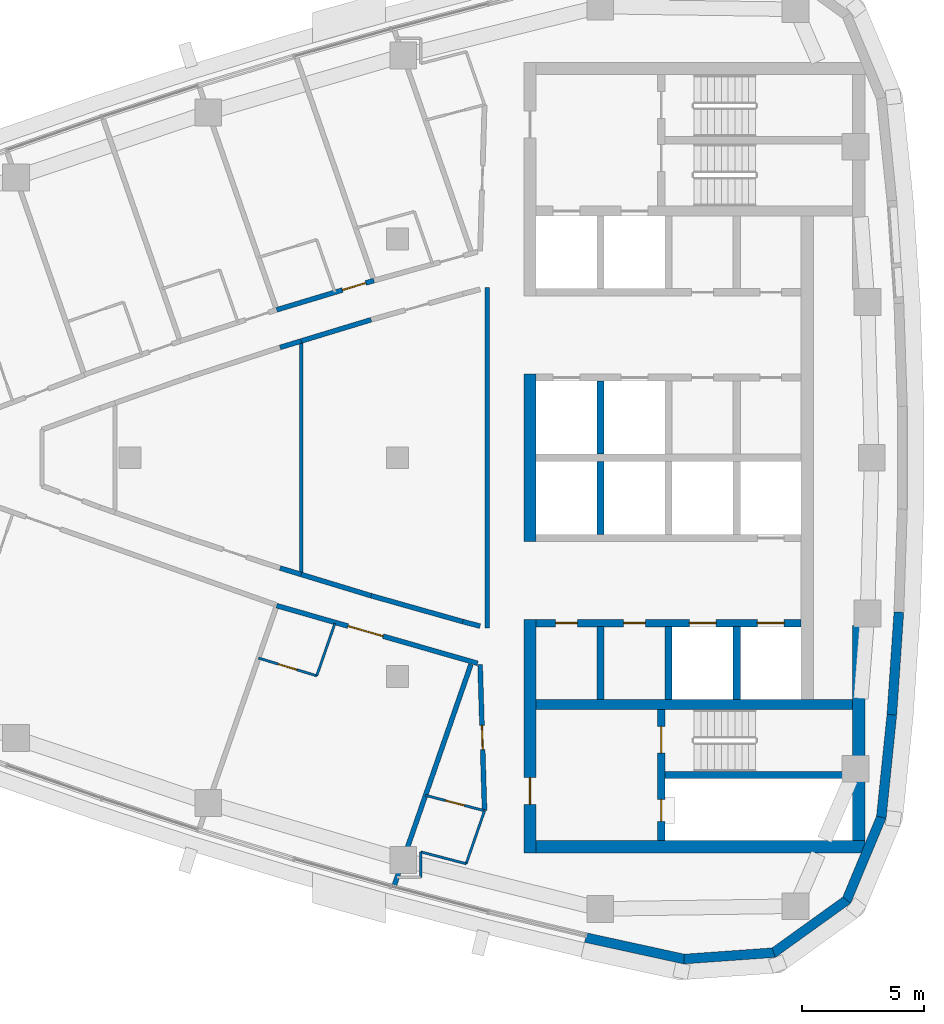
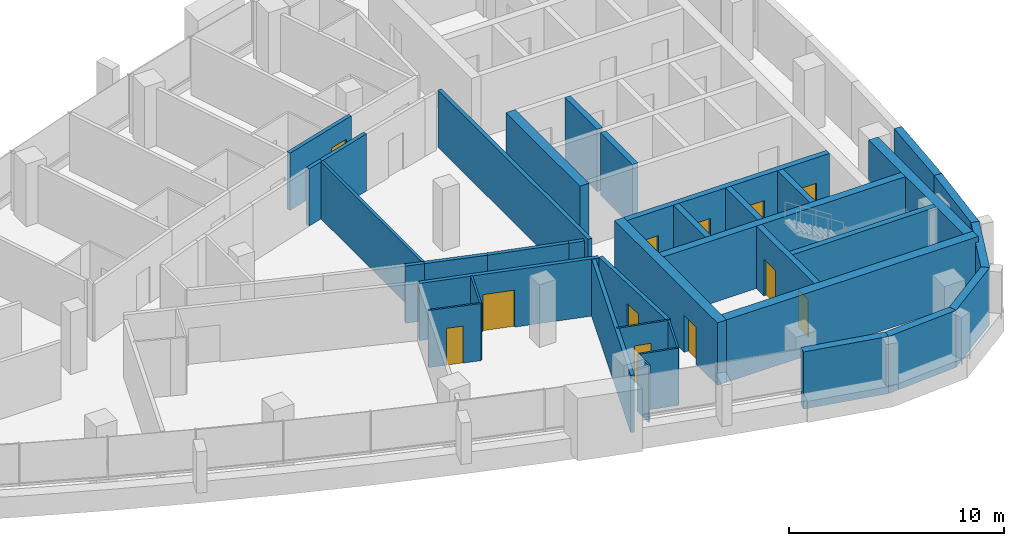
# One storey, part 8 of 14: 37 walls, 12 doors, 12 openings.
"""IFC4 building model written with IfcOpenShell, lengths in metres."""

from ifc_helpers import new_model, si_unit, direction, frame, frame_2d, origin, place, context, subcontext, project, spatial, polyline, rectangle, outline, extrude, material, layer, layer_set, type_object, element, fill, save


model = new_model("IFC4")

# Units and contexts
model_context = context("Model", 3, precision=1e-05, world=origin(), true_north=direction((0.0, 1.0)))
body_context = subcontext(model_context, "Body", "Model", "MODEL_VIEW")
ifc_project = project(units=[si_unit("LENGTHUNIT", "METRE"), si_unit("AREAUNIT", "SQUARE_METRE"), si_unit("VOLUMEUNIT", "CUBIC_METRE"), si_unit("PLANEANGLEUNIT", "RADIAN"), si_unit("MASSUNIT", "GRAM", prefix="KILO")], contexts=[model_context])

# Site, building, storey
site_placement = place(None, origin())
site = spatial("IfcSite", under=ifc_project, at=site_placement, CompositionType="ELEMENT")
building_placement = place(site_placement, origin())
building = spatial("IfcBuilding", under=site, at=building_placement, Name="Ostrand Prow Hotel Tower", CompositionType="ELEMENT")
storey_placement = place(building_placement, frame((0.0, 0.0, 289.199951171875)))
storey = spatial("IfcBuildingStorey", under=building, at=storey_placement, Name="L73", CompositionType="ELEMENT", Elevation=289.199951171875)

# Wall
ifc_material_1 = material(Name="Concrete C50/60", Category="concrete")
ifc_layer_1 = layer(ifc_material_1, 0.300048828125)
ifc_layer_set_1 = layer_set([ifc_layer_1], Name="Concrete C50/60")
wall_type_1 = type_object("IfcWallType", Name="Core wall 300 C50/60", PredefinedType="SHEAR", material=ifc_layer_set_1)
wall_1_placement = place(storey_placement, frame((53.35009765625, 0.14990234375, 0.0), z_axis=(0.0, 0.0, 1.0), x_axis=(0.0, 1.0, 0.0)))
element("IfcWall", 1, at=wall_1_placement, inside=storey, type_object=wall_type_1, Name="Core wall PW-R1-NB", PredefinedType="SHEAR", context=body_context, shape_type="SweptSolid", body=[
    extrude(rectangle(XDim=3.0, YDim=0.300048828125, at=frame_2d((1.5, 0.0))), origin(), (0.0, 0.0, 1.0), 3.550048828125),
])

# Wall, openings, doors
wall_2_placement = place(storey_placement, frame((50.699951171875, -6.800048828125, 0.0), z_axis=(0.0, 0.0, 1.0), x_axis=(1.0, 0.0, 0.0)))
wall_2 = element("IfcWall", 2, at=wall_2_placement, inside=storey, type_object=wall_type_1, Name="Core wall PW-L2-S", PredefinedType="SHEAR", context=body_context, shape_type="SweptSolid", body=[
    extrude(rectangle(XDim=10.900146484375, YDim=0.300048828125, at=frame_2d((5.4501953125, 0.0))), origin(), (0.0, 0.0, 1.0), 3.550048828125),
])
opening_1_placement = place(wall_2_placement, frame((6.300048828125, 0.0, 0.0)))
opening_1 = element("IfcOpeningElement", 3, at=opening_1_placement, cuts=wall_2, Name="Opening LD", PredefinedType="OPENING", context=body_context, shape_type="SweptSolid", body=[
    extrude(rectangle(XDim=1.10009765625, YDim=2.10009765625, at=frame_2d((0.550048828125, 1.050048828125))), frame((0.0, 0.159912109375, 0.0), z_axis=(0.0, -1.0, 0.0), x_axis=(1.0, 0.0, 0.0)), (0.0, 0.0, 1.0), 0.320068359375),
])
opening_2_placement = place(wall_2_placement, frame((9.10009765625, 0.0, 0.0)))
opening_2 = element("IfcOpeningElement", 4, at=opening_2_placement, cuts=wall_2, Name="Opening LD", PredefinedType="OPENING", context=body_context, shape_type="SweptSolid", body=[
    extrude(rectangle(XDim=1.10009765625, YDim=2.10009765625, at=frame_2d((0.550048828125, 1.050048828125))), frame((0.0, 0.159912109375, 0.0), z_axis=(0.0, -1.0, 0.0), x_axis=(1.0, 0.0, 0.0)), (0.0, 0.0, 1.0), 0.320068359375),
])
opening_3_placement = place(wall_2_placement, frame((0.800048828125, 0.0, 0.0)))
opening_3 = element("IfcOpeningElement", 5, at=opening_3_placement, cuts=wall_2, Name="Opening FD2", PredefinedType="OPENING", context=body_context, shape_type="SweptSolid", body=[
    extrude(rectangle(XDim=0.89990234375, YDim=2.10009765625, at=frame_2d((0.449951171875, 1.050048828125))), frame((0.0, 0.159912109375, 0.0), z_axis=(0.0, -1.0, 0.0), x_axis=(1.0, 0.0, 0.0)), (0.0, 0.0, 1.0), 0.320068359375),
])
opening_4_placement = place(wall_2_placement, frame((3.60009765625, 0.0, 0.0)))
opening_4 = element("IfcOpeningElement", 6, at=opening_4_placement, cuts=wall_2, Name="Opening FD2", PredefinedType="OPENING", context=body_context, shape_type="SweptSolid", body=[
    extrude(rectangle(XDim=0.89990234375, YDim=2.10009765625, at=frame_2d((0.449951171875, 1.050048828125))), frame((0.0, 0.159912109375, 0.0), z_axis=(0.0, -1.0, 0.0), x_axis=(1.0, 0.0, 0.0)), (0.0, 0.0, 1.0), 0.320068359375),
])
ifc_material_2 = material(Name="Steel fire door", Category="steel")
door_type_1 = type_object("IfcDoorType", Name="Fire door 900 EI120", OperationType="SINGLE_SWING_LEFT", PredefinedType="DOOR", material=ifc_material_2)
door_1_placement = place(opening_3_placement, origin())
door_1 = element("IfcDoor", 7, at=door_1_placement, inside=storey, type_object=door_type_1, Name="DOOR", OperationType="SINGLE_SWING_LEFT", OverallHeight=2.10009765625, OverallWidth=0.89990234375, PredefinedType="DOOR", context=body_context, shape_type="SweptSolid", body=[
    extrude(rectangle(XDim=0.89990234375, YDim=2.10009765625, at=frame_2d((0.449951171875, 1.050048828125))), frame((0.0, 0.02490234375, 0.0), z_axis=(0.0, -1.0, 0.0), x_axis=(1.0, 0.0, 0.0)), (0.0, 0.0, 1.0), 0.050048828125),
])
fill(opening_3, door_1)
door_2_placement = place(opening_4_placement, origin())
door_2 = element("IfcDoor", 8, at=door_2_placement, inside=storey, type_object=door_type_1, Name="DOOR", OperationType="SINGLE_SWING_LEFT", OverallHeight=2.10009765625, OverallWidth=0.89990234375, PredefinedType="DOOR", context=body_context, shape_type="SweptSolid", body=[
    extrude(rectangle(XDim=0.89990234375, YDim=2.10009765625, at=frame_2d((0.449951171875, 1.050048828125))), frame((0.0, 0.02490234375, 0.0), z_axis=(0.0, -1.0, 0.0), x_axis=(1.0, 0.0, 0.0)), (0.0, 0.0, 1.0), 0.050048828125),
])
fill(opening_4, door_2)
ifc_material_3 = material(Name="Stainless steel door", Category="steel")
door_type_2 = type_object("IfcDoorType", Name="Lift landing door 1100", OperationType="DOUBLE_DOOR_SLIDING", PredefinedType="DOOR", material=ifc_material_3)
door_3_placement = place(opening_1_placement, origin())
door_3 = element("IfcDoor", 9, at=door_3_placement, inside=storey, type_object=door_type_2, Name="LIFT LANDING DOOR", OperationType="DOUBLE_DOOR_SLIDING", OverallHeight=2.10009765625, OverallWidth=1.10009765625, PredefinedType="DOOR", context=body_context, shape_type="SweptSolid", body=[
    extrude(rectangle(XDim=1.10009765625, YDim=2.10009765625, at=frame_2d((0.550048828125, 1.050048828125))), frame((0.0, 0.02490234375, 0.0), z_axis=(0.0, -1.0, 0.0), x_axis=(1.0, 0.0, 0.0)), (0.0, 0.0, 1.0), 0.050048828125),
])
fill(opening_1, door_3)
door_4_placement = place(opening_2_placement, origin())
door_4 = element("IfcDoor", 10, at=door_4_placement, inside=storey, type_object=door_type_2, Name="LIFT LANDING DOOR", OperationType="DOUBLE_DOOR_SLIDING", OverallHeight=2.10009765625, OverallWidth=1.10009765625, PredefinedType="DOOR", context=body_context, shape_type="SweptSolid", body=[
    extrude(rectangle(XDim=1.10009765625, YDim=2.10009765625, at=frame_2d((0.550048828125, 1.050048828125))), frame((0.0, 0.02490234375, 0.0), z_axis=(0.0, -1.0, 0.0), x_axis=(1.0, 0.0, 0.0)), (0.0, 0.0, 1.0), 0.050048828125),
])
fill(opening_2, door_4)

# Walls
for number, where, z_axis, x_axis, name in (
    (11, (53.35009765625, -3.14990234375, 0.0), (0.0, 0.0, 1.0), (0.0, 1.0, 0.0), "Core wall PW-R1-SB"),
    (12, (53.35009765625, -9.949951171875, 0.0), (0.0, 0.0, 1.0), (0.0, 1.0, 0.0), "Core wall PW-R1-SA"),
    (13, (56.14990234375, -9.949951171875, 0.0), (0.0, 0.0, 1.0), (0.0, 1.0, 0.0), "Core wall PW-R2-SA"),
    (14, (58.949951171875, -9.949951171875, 0.0), (0.0, 0.0, 1.0), (0.0, 1.0, 0.0), "Core wall PW-R3-SA"),
):
    element("IfcWall", number, at=place(storey_placement, frame(where, z_axis=z_axis, x_axis=x_axis)), inside=storey, type_object=wall_type_1, Name=name, PredefinedType="SHEAR", context=body_context, shape_type="SweptSolid", body=[
        extrude(rectangle(XDim=3.0, YDim=0.300048828125, at=frame_2d((1.5, 0.0))), origin(), (0.0, 0.0, 1.0), 3.550048828125),
    ])

# Wall, openings, doors
wall_3_placement = place(storey_placement, frame((55.85009765625, -15.75, 0.0), z_axis=(0.0, 0.0, 1.0), x_axis=(0.0, 1.0, 0.0)))
wall_3 = element("IfcWall", 15, at=wall_3_placement, inside=storey, type_object=wall_type_1, Name="Core wall PW-VS", PredefinedType="SHEAR", context=body_context, shape_type="SweptSolid", body=[
    extrude(rectangle(XDim=5.39990234375, YDim=0.300048828125, at=frame_2d((2.699951171875, 0.0))), origin(), (0.0, 0.0, 1.0), 3.550048828125),
])
opening_5_placement = place(wall_3_placement, frame((3.60009765625, 0.0, 0.0)))
opening_5 = element("IfcOpeningElement", 16, at=opening_5_placement, cuts=wall_3, Name="Opening FD1", PredefinedType="OPENING", context=body_context, shape_type="SweptSolid", body=[
    extrude(rectangle(XDim=1.10009765625, YDim=2.10009765625, at=frame_2d((0.550048828125, 1.050048828125))), frame((0.0, 0.159912109375, 0.0), z_axis=(0.0, -1.0, 0.0), x_axis=(1.0, 0.0, 0.0)), (0.0, 0.0, 1.0), 0.320068359375),
])
opening_6_placement = place(wall_3_placement, frame((0.800048828125, 0.0, 0.0)))
opening_6 = element("IfcOpeningElement", 17, at=opening_6_placement, cuts=wall_3, Name="Opening FD2", PredefinedType="OPENING", context=body_context, shape_type="SweptSolid", body=[
    extrude(rectangle(XDim=0.89990234375, YDim=2.10009765625, at=frame_2d((0.449951171875, 1.050048828125))), frame((0.0, 0.159912109375, 0.0), z_axis=(0.0, -1.0, 0.0), x_axis=(1.0, 0.0, 0.0)), (0.0, 0.0, 1.0), 0.320068359375),
])
ifc_material_4 = material(Name="Steel fire door", Category="steel")
door_type_3 = type_object("IfcDoorType", Name="Fire door 1100 EI120", OperationType="SINGLE_SWING_RIGHT", PredefinedType="DOOR", material=ifc_material_4)
door_5_placement = place(opening_5_placement, origin())
door_5 = element("IfcDoor", 18, at=door_5_placement, inside=storey, type_object=door_type_3, Name="FIRE DOOR", OperationType="SINGLE_SWING_RIGHT", OverallHeight=2.10009765625, OverallWidth=1.10009765625, PredefinedType="DOOR", context=body_context, shape_type="SweptSolid", body=[
    extrude(rectangle(XDim=1.10009765625, YDim=2.10009765625, at=frame_2d((0.550048828125, 1.050048828125))), frame((0.0, 0.02490234375, 0.0), z_axis=(0.0, -1.0, 0.0), x_axis=(1.0, 0.0, 0.0)), (0.0, 0.0, 1.0), 0.050048828125),
])
fill(opening_5, door_5)
door_6_placement = place(opening_6_placement, origin())
door_6 = element("IfcDoor", 19, at=door_6_placement, inside=storey, type_object=door_type_1, Name="FIRE DOOR", OperationType="SINGLE_SWING_LEFT", OverallHeight=2.10009765625, OverallWidth=0.89990234375, PredefinedType="DOOR", context=body_context, shape_type="SweptSolid", body=[
    extrude(rectangle(XDim=0.89990234375, YDim=2.10009765625, at=frame_2d((0.449951171875, 1.050048828125))), frame((0.0, 0.02490234375, 0.0), z_axis=(0.0, -1.0, 0.0), x_axis=(1.0, 0.0, 0.0)), (0.0, 0.0, 1.0), 0.050048828125),
])
fill(opening_6, door_6)

# Walls
wall_4_placement = place(storey_placement, frame((56.0, -13.050048828125, 0.0), z_axis=(0.0, 0.0, 1.0), x_axis=(1.0, 0.0, 0.0)))
element("IfcWall", 20, at=wall_4_placement, inside=storey, type_object=wall_type_1, Name="Core wall PW-ST2R", PredefinedType="SHEAR", context=body_context, shape_type="SweptSolid", body=[
    extrude(rectangle(XDim=7.719970703125, YDim=0.300048828125, at=frame_2d((3.85986328125, 0.0))), origin(), (0.0, 0.0, 1.0), 3.550048828125),
])
ifc_material_5 = material(Name="Concrete C50/60", Category="concrete")
ifc_layer_2 = layer(ifc_material_5, 0.39990234375)
ifc_layer_set_2 = layer_set([ifc_layer_2], Name="Concrete C50/60")
wall_type_2 = type_object("IfcWallType", Name="Core wall 400 C50/60", PredefinedType="SHEAR", material=ifc_layer_set_2)
wall_5_placement = place(storey_placement, frame((50.699951171875, -10.14990234375, 0.0), z_axis=(0.0, 0.0, 1.0), x_axis=(1.0, 0.0, 0.0)))
element("IfcWall", 21, at=wall_5_placement, inside=storey, type_object=wall_type_2, Name="Core wall PW-BS", PredefinedType="SHEAR", context=body_context, shape_type="SweptSolid", body=[
    extrude(rectangle(XDim=13.02001953125, YDim=0.39990234375, at=frame_2d((6.510009765625, 0.0))), origin(), (0.0, 0.0, 1.0), 3.550048828125),
])
ifc_material_6 = material(Name="Concrete C50/60", Category="concrete")
ifc_layer_3 = layer(ifc_material_6, 0.5)
ifc_layer_set_3 = layer_set([ifc_layer_3], Name="Concrete C50/60")
wall_type_3 = type_object("IfcWallType", Name="Core wall 500 C50/60", PredefinedType="SHEAR", material=ifc_layer_set_3)
wall_6_placement = place(storey_placement, frame((50.449951171875, -3.449951171875, 0.0), z_axis=(0.0, 0.0, 1.0), x_axis=(0.0, 1.0, 0.0)))
element("IfcWall", 22, at=wall_6_placement, inside=storey, type_object=wall_type_3, Name="Core wall CW-W-C", PredefinedType="SHEAR", context=body_context, shape_type="SweptSolid", body=[
    extrude(rectangle(XDim=6.89990234375, YDim=0.5, at=frame_2d((3.449951171875, 0.0))), origin(), (0.0, 0.0, 1.0), 3.550048828125),
])

# Wall, opening, door
wall_7_placement = place(storey_placement, frame((50.449951171875, -16.25, 0.0), z_axis=(0.0, 0.0, 1.0), x_axis=(0.0, 1.0, 0.0)))
wall_7 = element("IfcWall", 23, at=wall_7_placement, inside=storey, type_object=wall_type_3, Name="Core wall CW-W-S", PredefinedType="SHEAR", context=body_context, shape_type="SweptSolid", body=[
    extrude(rectangle(XDim=9.60009765625, YDim=0.5, at=frame_2d((4.800048828125, 0.0))), origin(), (0.0, 0.0, 1.0), 3.550048828125),
])
opening_7_placement = place(wall_7_placement, frame((2.0, 0.0, 0.0)))
opening_7 = element("IfcOpeningElement", 24, at=opening_7_placement, cuts=wall_7, Name="Opening FD1", PredefinedType="OPENING", context=body_context, shape_type="SweptSolid", body=[
    extrude(rectangle(XDim=1.10009765625, YDim=2.10009765625, at=frame_2d((0.550048828125, 1.050048828125))), frame((0.0, 0.260009765625, 0.0), z_axis=(0.0, -1.0, 0.0), x_axis=(1.0, 0.0, 0.0)), (0.0, 0.0, 1.0), 0.52001953125),
])
door_7_placement = place(opening_7_placement, origin())
door_7 = element("IfcDoor", 25, at=door_7_placement, inside=storey, type_object=door_type_3, Name="FIRE DOOR", OperationType="SINGLE_SWING_RIGHT", OverallHeight=2.10009765625, OverallWidth=1.10009765625, PredefinedType="DOOR", context=body_context, shape_type="SweptSolid", body=[
    extrude(rectangle(XDim=1.10009765625, YDim=2.10009765625, at=frame_2d((0.550048828125, 1.050048828125))), frame((0.0, 0.02490234375, 0.0), z_axis=(0.0, -1.0, 0.0), x_axis=(1.0, 0.0, 0.0)), (0.0, 0.0, 1.0), 0.050048828125),
])
fill(opening_7, door_7)

# Walls
wall_8_placement = place(storey_placement, frame((50.699951171875, -16.0, 0.0), z_axis=(0.0, 0.0, 1.0), x_axis=(1.0, 0.0, 0.0)))
element("IfcWall", 26, at=wall_8_placement, inside=storey, type_object=wall_type_3, Name="Core wall CW-S", PredefinedType="SHEAR", context=body_context, shape_type="SweptSolid", body=[
    extrude(rectangle(XDim=13.52001953125, YDim=0.5, at=frame_2d((6.760009765625, 0.0))), origin(), (0.0, 0.0, 1.0), 3.550048828125),
])
wall_9_placement = place(storey_placement, frame((63.969970703125, -15.75, 0.0), z_axis=(0.0, 0.0, 1.0), x_axis=(0.0, 1.0, 0.0)))
element("IfcWall", 27, at=wall_9_placement, inside=storey, type_object=wall_type_3, Name="Core wall CW-E-S", PredefinedType="SHEAR", context=body_context, shape_type="SweptSolid", body=[
    extrude(rectangle(XDim=8.8466796875, YDim=0.5, at=frame_2d((4.42333984375, 0.0))), origin(), (0.0, 0.0, 1.0), 3.550048828125),
])
ifc_material_7 = material(Name="Plasterboard partition")
ifc_layer_4 = layer(ifc_material_7, 0.10009765625)
ifc_layer_set_4 = layer_set([ifc_layer_4], Name="Plasterboard partition")
wall_type_4 = type_object("IfcWallType", Name="Partition 100 bathroom wall", PredefinedType="PARTITIONING", material=ifc_layer_set_4)
wall_10_placement = place(storey_placement, frame((42.42822265625, -6.813232421875, 0.0), z_axis=(0.0, 0.0, 1.0), x_axis=(-0.327743427431, -0.944766767925, 0.0)))
element("IfcWall", 28, at=wall_10_placement, inside=storey, type_object=wall_type_4, Name="BATHROOM WALL", PredefinedType="PARTITIONING", context=body_context, shape_type="SweptSolid", body=[
    extrude(rectangle(XDim=2.27880859375, YDim=0.10009765625, at=frame_2d((1.139404296875, 0.0))), origin(), (0.0, 0.0, 1.0), 3.25),
])

# Wall, opening, door
wall_11_placement = place(storey_placement, frame((41.681396484375, -8.96630859375, 0.0), z_axis=(0.0, 0.0, 1.0), x_axis=(-0.956723503196, 0.290998519638, 0.0)))
wall_11 = element("IfcWall", 29, at=wall_11_placement, inside=storey, type_object=wall_type_4, Name="BATHROOM WALL", PredefinedType="PARTITIONING", context=body_context, shape_type="SweptSolid", body=[
    extrude(rectangle(XDim=2.501708984375, YDim=0.10009765625, at=frame_2d((1.2509765625, 0.0))), origin(), (0.0, 0.0, 1.0), 3.25),
])
opening_8_placement = place(wall_11_placement, frame((0.85009765625, 0.0, 0.0)))
opening_8 = element("IfcOpeningElement", 30, at=opening_8_placement, cuts=wall_11, Name="Opening D2", PredefinedType="OPENING", context=body_context, shape_type="SweptSolid", body=[
    extrude(rectangle(XDim=0.800048828125, YDim=2.10009765625, at=frame_2d((0.39990234375, 1.050048828125))), frame((0.0, 0.06005859375, 0.0), z_axis=(0.0, -1.0, 0.0), x_axis=(1.0, 0.0, 0.0)), (0.0, 0.0, 1.0), 0.1201171875),
])
ifc_material_8 = material(Name="Timber door leaf", Category="wood")
door_type_4 = type_object("IfcDoorType", Name="Bathroom door 800", OperationType="SINGLE_SWING_LEFT", PredefinedType="DOOR", material=ifc_material_8)
door_8_placement = place(opening_8_placement, origin())
door_8 = element("IfcDoor", 31, at=door_8_placement, inside=storey, type_object=door_type_4, Name="DOOR", OperationType="SINGLE_SWING_LEFT", OverallHeight=2.10009765625, OverallWidth=0.800048828125, PredefinedType="DOOR", context=body_context, shape_type="SweptSolid", body=[
    extrude(rectangle(XDim=0.800048828125, YDim=2.10009765625, at=frame_2d((0.39990234375, 1.050048828125))), frame((0.0, 0.02490234375, 0.0), z_axis=(0.0, -1.0, 0.0), x_axis=(1.0, 0.0, 0.0)), (0.0, 0.0, 1.0), 0.050048828125),
])
fill(opening_8, door_8)

# Wall
wall_12_placement = place(storey_placement, frame((45.95458984375, -16.20751953125, 0.0), z_axis=(0.0, 0.0, 1.0), x_axis=(0.0, -1.0, 0.0)))
element("IfcWall", 32, at=wall_12_placement, inside=storey, type_object=wall_type_4, Name="BATHROOM WALL", PredefinedType="PARTITIONING", context=body_context, shape_type="SweptSolid", body=[
    extrude(rectangle(XDim=1.051025390625, YDim=0.10009765625, at=frame_2d((0.525390625, 0.0))), origin(), (0.0, 0.0, 1.0), 3.25),
])

# Wall, opening, door
wall_13_placement = place(storey_placement, frame((46.15576171875, -13.883056640625, 0.0), z_axis=(0.0, 0.0, 1.0), x_axis=(0.967665843663, -0.252235633897, 0.0)))
wall_13 = element("IfcWall", 33, at=wall_13_placement, inside=storey, type_object=wall_type_4, Name="BATHROOM WALL", PredefinedType="PARTITIONING", context=body_context, shape_type="SweptSolid", body=[
    extrude(rectangle(XDim=2.5078125, YDim=0.10009765625, at=frame_2d((1.25390625, 0.0))), origin(), (0.0, 0.0, 1.0), 3.25),
])
opening_9_placement = place(wall_13_placement, frame((0.85009765625, 0.0, 0.0)))
opening_9 = element("IfcOpeningElement", 34, at=opening_9_placement, cuts=wall_13, Name="Opening D2", PredefinedType="OPENING", context=body_context, shape_type="SweptSolid", body=[
    extrude(rectangle(XDim=0.800048828125, YDim=2.10009765625, at=frame_2d((0.39990234375, 1.050048828125))), frame((0.0, 0.06005859375, 0.0), z_axis=(0.0, -1.0, 0.0), x_axis=(1.0, 0.0, 0.0)), (0.0, 0.0, 1.0), 0.1201171875),
])
door_9_placement = place(opening_9_placement, origin())
door_9 = element("IfcDoor", 35, at=door_9_placement, inside=storey, type_object=door_type_4, Name="DOOR", OperationType="SINGLE_SWING_LEFT", OverallHeight=2.10009765625, OverallWidth=0.800048828125, PredefinedType="DOOR", context=body_context, shape_type="SweptSolid", body=[
    extrude(rectangle(XDim=0.800048828125, YDim=2.10009765625, at=frame_2d((0.39990234375, 1.050048828125))), frame((0.0, 0.02490234375, 0.0), z_axis=(0.0, -1.0, 0.0), x_axis=(1.0, 0.0, 0.0)), (0.0, 0.0, 1.0), 0.050048828125),
])
fill(opening_9, door_9)

# Walls
wall_14_placement = place(storey_placement, frame((48.58251953125, -14.515625, 0.0), z_axis=(0.0, 0.0, 1.0), x_axis=(-0.327695604762, -0.944783356447, 0.0)))
element("IfcWall", 36, at=wall_14_placement, inside=storey, type_object=wall_type_4, Name="BATHROOM WALL", PredefinedType="PARTITIONING", context=body_context, shape_type="SweptSolid", body=[
    extrude(rectangle(XDim=2.307373046875, YDim=0.10009765625, at=frame_2d((1.15380859375, 0.0))), origin(), (0.0, 0.0, 1.0), 3.25),
])
wall_15_placement = place(storey_placement, frame((47.826416015625, -16.695556640625, 0.0), z_axis=(0.0, 0.0, 1.0), x_axis=(-0.967650770907, 0.25229345129, 0.0)))
element("IfcWall", 37, at=wall_15_placement, inside=storey, type_object=wall_type_4, Name="BATHROOM WALL", PredefinedType="PARTITIONING", context=body_context, shape_type="SweptSolid", body=[
    extrude(rectangle(XDim=1.934326171875, YDim=0.10009765625, at=frame_2d((0.96728515625, 0.0))), origin(), (0.0, 0.0, 1.0), 3.25),
])
ifc_material_9 = material(Name="Plasterboard partition")
ifc_layer_5 = layer(ifc_material_9, 0.14990234375)
ifc_layer_set_5 = layer_set([ifc_layer_5], Name="Plasterboard partition")
wall_type_5 = type_object("IfcWallType", Name="Partition 150 room partition", PredefinedType="PARTITIONING", material=ifc_layer_set_5)
wall_16_placement = place(storey_placement, frame((41.042724609375, -4.800048828125, 0.0), z_axis=(0.0, 0.0, 1.0), x_axis=(0.0, 1.0, 0.0)))
element("IfcWall", 38, at=wall_16_placement, inside=storey, type_object=wall_type_5, Name="ROOM PARTITION", PredefinedType="PARTITIONING", context=body_context, shape_type="SweptSolid", body=[
    extrude(rectangle(XDim=9.60009765625, YDim=0.14990234375, at=frame_2d((4.800048828125, 0.0))), origin(), (0.0, 0.0, 1.0), 3.25),
])

# Wall, opening, door
ifc_material_10 = material(Name="Plasterboard partition")
ifc_layer_6 = layer(ifc_material_10, 0.199951171875)
ifc_layer_set_6 = layer_set([ifc_layer_6], Name="Plasterboard partition")
wall_type_6 = type_object("IfcWallType", Name="Partition 200 corridor wall", PredefinedType="PARTITIONING", material=ifc_layer_set_6)
wall_17_placement = place(storey_placement, frame((44.03125, 7.285888671875, 0.0), z_axis=(0.0, 0.0, 1.0), x_axis=(-0.957521424208, -0.288362137222, 0.0)))
wall_17 = element("IfcWall", 39, at=wall_17_placement, inside=storey, type_object=wall_type_6, Name="CORRIDOR WALL", PredefinedType="PARTITIONING", context=body_context, shape_type="SweptSolid", body=[
    extrude(rectangle(XDim=4.173095703125, YDim=0.199951171875, at=frame_2d((2.08642578125, 0.0))), origin(), (0.0, 0.0, 1.0), 3.25),
])
opening_10_placement = place(wall_17_placement, frame((0.35009765625, 0.0, 0.0)))
opening_10 = element("IfcOpeningElement", 40, at=opening_10_placement, cuts=wall_17, Name="Opening D1R", PredefinedType="OPENING", context=body_context, shape_type="SweptSolid", body=[
    extrude(rectangle(XDim=1.0, YDim=2.10009765625, at=frame_2d((0.5, 1.050048828125))), frame((0.0, 0.10986328125, 0.0), z_axis=(0.0, -1.0, 0.0), x_axis=(1.0, 0.0, 0.0)), (0.0, 0.0, 1.0), 0.219970703125),
])
ifc_material_11 = material(Name="Timber door leaf", Category="wood")
door_type_5 = type_object("IfcDoorType", Name="Guest room door 1000 right", OperationType="SINGLE_SWING_RIGHT", PredefinedType="DOOR", material=ifc_material_11)
door_10_placement = place(opening_10_placement, origin())
door_10 = element("IfcDoor", 41, at=door_10_placement, inside=storey, type_object=door_type_5, Name="DOOR", OperationType="SINGLE_SWING_RIGHT", OverallHeight=2.10009765625, OverallWidth=1.0, PredefinedType="DOOR", context=body_context, shape_type="SweptSolid", body=[
    extrude(rectangle(XDim=1.0, YDim=2.10009765625, at=frame_2d((0.5, 1.050048828125))), frame((0.0, 0.02490234375, 0.0), z_axis=(0.0, -1.0, 0.0), x_axis=(1.0, 0.0, 0.0)), (0.0, 0.0, 1.0), 0.050048828125),
])
fill(opening_10, door_10)

wall_18_placement = place(storey_placement, frame((40.035400390625, -6.08251953125, 0.0), z_axis=(0.0, 0.0, 1.0), x_axis=(0.961195333593, -0.275868683759, 0.0)))
wall_18 = element("IfcWall", 42, at=wall_18_placement, inside=storey, type_object=wall_type_6, Name="CORRIDOR WALL", PredefinedType="PARTITIONING", context=body_context, shape_type="SweptSolid", body=[
    extrude(rectangle(XDim=8.5966796875, YDim=0.199951171875, at=frame_2d((4.29833984375, 0.0))), origin(), (0.0, 0.0, 1.0), 3.25),
])
opening_11_placement = place(wall_18_placement, frame((3.050048828125, 0.0, 0.0)))
opening_11 = element("IfcOpeningElement", 43, at=opening_11_placement, cuts=wall_18, Name="Opening D15", PredefinedType="OPENING", context=body_context, shape_type="SweptSolid", body=[
    extrude(rectangle(XDim=1.5, YDim=2.10009765625, at=frame_2d((0.75, 1.050048828125))), frame((0.0, 0.10986328125, 0.0), z_axis=(0.0, -1.0, 0.0), x_axis=(1.0, 0.0, 0.0)), (0.0, 0.0, 1.0), 0.219970703125),
])
ifc_material_12 = material(Name="Timber door leaf", Category="wood")
door_type_6 = type_object("IfcDoorType", Name="Double door 1500", OperationType="DOUBLE_DOOR_SINGLE_SWING", PredefinedType="DOOR", material=ifc_material_12)
door_11_placement = place(opening_11_placement, origin())
door_11 = element("IfcDoor", 44, at=door_11_placement, inside=storey, type_object=door_type_6, Name="DOOR", OperationType="DOUBLE_DOOR_SINGLE_SWING", OverallHeight=2.10009765625, OverallWidth=1.5, PredefinedType="DOOR", context=body_context, shape_type="SweptSolid", body=[
    extrude(rectangle(XDim=1.5, YDim=2.10009765625, at=frame_2d((0.75, 1.050048828125))), frame((0.0, 0.02490234375, 0.0), z_axis=(0.0, -1.0, 0.0), x_axis=(1.0, 0.0, 0.0)), (0.0, 0.0, 1.0), 0.050048828125),
])
fill(opening_11, door_11)

# Walls
for number, where, z_axis, x_axis, name in (
    (45, (40.1748046875, 4.5361328125, 0.0), (0.0, 0.0, 1.0), (0.956745556466, 0.290926004652, 0.0), "CORRIDOR WALL"),
    (46, (41.042724609375, -4.800048828125, 0.0), (0.0, 0.0, 1.0), (-0.956745556466, 0.290926004652, 0.0), "CORRIDOR WALL"),
):
    element("IfcWall", number, at=place(storey_placement, frame(where, z_axis=z_axis, x_axis=x_axis)), inside=storey, type_object=wall_type_6, Name=name, PredefinedType="PARTITIONING", context=body_context, shape_type="SweptSolid", body=[
        extrude(rectangle(XDim=0.9072265625, YDim=0.199951171875, at=frame_2d((0.45361328125, 0.0))), origin(), (0.0, 0.0, 1.0), 3.25),
    ])
wall_19_placement = place(storey_placement, frame((47.684326171875, -6.737548828125, 0.0), z_axis=(0.0, 0.0, 1.0), x_axis=(-0.962411212211, 0.271596499628, 0.0)))
element("IfcWall", 47, at=wall_19_placement, inside=storey, type_object=wall_type_6, Name="CORRIDOR WALL", PredefinedType="PARTITIONING", context=body_context, shape_type="SweptSolid", body=[
    extrude(rectangle(XDim=3.912841796875, YDim=0.199951171875, at=frame_2d((1.95654296875, 0.0))), origin(), (0.0, 0.0, 1.0), 3.25),
])
for number, where, z_axis, x_axis, name in (
    (48, (43.91845703125, -5.6748046875, 0.0), (0.0, 0.0, 1.0), (-0.956717150932, 0.291019403327, 0.0), "CORRIDOR WALL"),
    (49, (41.042724609375, 4.800048828125, 0.0), (0.0, 0.0, 1.0), (0.956717150932, 0.291019403327, 0.0), "CORRIDOR WALL"),
):
    element("IfcWall", number, at=place(storey_placement, frame(where, z_axis=z_axis, x_axis=x_axis)), inside=storey, type_object=wall_type_6, Name=name, PredefinedType="PARTITIONING", context=body_context, shape_type="SweptSolid", body=[
        extrude(rectangle(XDim=3.005859375, YDim=0.199951171875, at=frame_2d((1.5029296875, 0.0))), origin(), (0.0, 0.0, 1.0), 3.25),
    ])
wall_20_placement = place(storey_placement, frame((48.39990234375, -6.92431640625, 0.0), z_axis=(0.0, 0.0, 1.0), x_axis=(-0.967585713416, 0.252542842294, 0.0)))
element("IfcWall", 50, at=wall_20_placement, inside=storey, type_object=wall_type_6, Name="CORRIDOR WALL", PredefinedType="PARTITIONING", context=body_context, shape_type="SweptSolid", body=[
    extrude(rectangle(XDim=0.739501953125, YDim=0.199951171875, at=frame_2d((0.36962890625, 0.0))), origin(), (0.0, 0.0, 1.0), 3.25),
])

# Wall, opening, door
wall_21_placement = place(storey_placement, frame((48.39990234375, -8.4951171875, 0.0), z_axis=(0.0, 0.0, 1.0), x_axis=(0.030318578026, -0.999540286245, 0.0)))
wall_21 = element("IfcWall", 51, at=wall_21_placement, inside=storey, type_object=wall_type_6, Name="CORRIDOR WALL", PredefinedType="PARTITIONING", context=body_context, shape_type="SweptSolid", body=[
    extrude(rectangle(XDim=6.023193359375, YDim=0.199951171875, at=frame_2d((3.01171875, 0.0))), origin(), (0.0, 0.0, 1.0), 3.25),
])
opening_12_placement = place(wall_21_placement, frame((2.511962890625, 0.0, 0.0)))
opening_12 = element("IfcOpeningElement", 52, at=opening_12_placement, cuts=wall_21, Name="Opening D1", PredefinedType="OPENING", context=body_context, shape_type="SweptSolid", body=[
    extrude(rectangle(XDim=1.0, YDim=2.10009765625, at=frame_2d((0.5, 1.050048828125))), frame((0.0, 0.10986328125, 0.0), z_axis=(0.0, -1.0, 0.0), x_axis=(1.0, 0.0, 0.0)), (0.0, 0.0, 1.0), 0.219970703125),
])
ifc_material_13 = material(Name="Timber door leaf", Category="wood")
door_type_7 = type_object("IfcDoorType", Name="Guest room door 1000", OperationType="SINGLE_SWING_LEFT", PredefinedType="DOOR", material=ifc_material_13)
door_12_placement = place(opening_12_placement, origin())
door_12 = element("IfcDoor", 53, at=door_12_placement, inside=storey, type_object=door_type_7, Name="DOOR", OperationType="SINGLE_SWING_LEFT", OverallHeight=2.10009765625, OverallWidth=1.0, PredefinedType="DOOR", context=body_context, shape_type="SweptSolid", body=[
    extrude(rectangle(XDim=1.0, YDim=2.10009765625, at=frame_2d((0.5, 1.050048828125))), frame((0.0, 0.02490234375, 0.0), z_axis=(0.0, -1.0, 0.0), x_axis=(1.0, 0.0, 0.0)), (0.0, 0.0, 1.0), 0.050048828125),
])
fill(opening_12, door_12)

# Walls
wall_22_placement = place(storey_placement, frame((48.695068359375, 6.995849609375, 0.0), z_axis=(0.0, 0.0, 1.0), x_axis=(0.0, -1.0, 0.0)))
element("IfcWall", 54, at=wall_22_placement, inside=storey, type_object=wall_type_6, Name="CORRIDOR WALL", PredefinedType="PARTITIONING", context=body_context, shape_type="SweptSolid", body=[
    extrude(rectangle(XDim=13.99169921875, YDim=0.199951171875, at=frame_2d((6.995849609375, 0.0))), origin(), (0.0, 0.0, 1.0), 3.25),
])
ifc_material_14 = material(Name="Plasterboard partition")
ifc_layer_7 = layer(ifc_material_14, 0.199951171875)
ifc_layer_set_7 = layer_set([ifc_layer_7], Name="Plasterboard partition")
wall_type_7 = type_object("IfcWallType", Name="Partition 200 key partition", PredefinedType="PARTITIONING", material=ifc_layer_set_7)
wall_23_placement = place(storey_placement, frame((44.873779296875, -17.5791015625, 0.0), z_axis=(0.0, 0.0, 1.0), x_axis=(0.327705598625, 0.944779890043, 0.0)))
element("IfcWall", 55, at=wall_23_placement, inside=storey, type_object=wall_type_7, Name="KEY PARTITION", PredefinedType="PARTITIONING", context=body_context, shape_type="SweptSolid", body=[
    extrude(rectangle(XDim=9.60986328125, YDim=0.199951171875, at=frame_2d((4.804931640625, 0.0))), origin(), (0.0, 0.0, 1.0), 3.25),
])
ifc_material_15 = material(Name="Precast concrete C40/50", Category="concrete")
ifc_layer_8 = layer(ifc_material_15, 0.39990234375)
ifc_layer_set_8 = layer_set([ifc_layer_8], Name="Precast concrete C40/50")
wall_type_8 = type_object("IfcWallType", Name="Stone-faced precast wall 400 mm", PredefinedType="NOTDEFINED", material=ifc_layer_set_8)
wall_24_placement = place(storey_placement, frame((52.73828125, -19.73193359375, 0.0), z_axis=(0.0, 0.0, 1.0), x_axis=(0.977020225348, -0.213146614471, 0.0)))
element("IfcWall", 56, at=wall_24_placement, inside=storey, type_object=wall_type_8, Name="Stone-faced wall back 1", PredefinedType="NOTDEFINED", context=body_context, shape_type="SweptSolid", body=[
    extrude(outline(polyline([(0.0, -0.199951171875), (4.170654296875, -0.199951171875), (4.113037109375, 0.199951171875), (0.0, 0.199951171875), (0.0, -0.199951171875)])), origin(), (0.0, 0.0, 1.0), 3.25),
])
wall_25_placement = place(storey_placement, frame((56.784912109375, -20.61474609375, 0.0), z_axis=(0.0, 0.0, 1.0), x_axis=(0.99746272096, 0.071190731806, 0.0)))
element("IfcWall", 57, at=wall_25_placement, inside=storey, type_object=wall_type_8, Name="Stone-faced wall back 2", PredefinedType="NOTDEFINED", context=body_context, shape_type="SweptSolid", body=[
    extrude(outline(polyline([(-0.02880859375, -0.199951171875), (3.75341796875, -0.199951171875), (3.64013671875, 0.199951171875), (0.02880859375, 0.199951171875), (-0.02880859375, -0.199951171875)])), origin(), (0.0, 0.0, 1.0), 3.25),
])
wall_26_placement = place(storey_placement, frame((60.472412109375, -20.3515625, 0.0), z_axis=(0.0, 0.0, 1.0), x_axis=(0.811962548682, 0.583709533533, 0.0)))
element("IfcWall", 58, at=wall_26_placement, inside=storey, type_object=wall_type_8, Name="Stone-faced wall back 3", PredefinedType="NOTDEFINED", context=body_context, shape_type="SweptSolid", body=[
    extrude(outline(polyline([(-0.056640625, -0.199951171875), (3.753173828125, -0.199951171875), (3.639892578125, 0.199951171875), (0.056640625, 0.199951171875), (-0.056640625, -0.199951171875)])), origin(), (0.0, 0.0, 1.0), 3.25),
])
wall_27_placement = place(storey_placement, frame((63.473876953125, -18.19384765625, 0.0), z_axis=(0.0, 0.0, 1.0), x_axis=(0.385285857918, 0.922797273343, 0.0)))
element("IfcWall", 59, at=wall_27_placement, inside=storey, type_object=wall_type_8, Name="Stone-faced wall back 4", PredefinedType="NOTDEFINED", context=body_context, shape_type="SweptSolid", body=[
    extrude(outline(polyline([(-0.056640625, -0.199951171875), (3.726318359375, -0.199951171875), (3.667236328125, 0.199951171875), (0.056640625, 0.199951171875), (-0.056640625, -0.199951171875)])), origin(), (0.0, 0.0, 1.0), 3.25),
])
wall_28_placement = place(storey_placement, frame((64.898193359375, -14.782470703125, 0.0), z_axis=(0.0, 0.0, 1.0), x_axis=(0.102249826987, 0.994758751096, 0.0)))
element("IfcWall", 60, at=wall_28_placement, inside=storey, type_object=wall_type_8, Name="Stone-faced wall back 5", PredefinedType="NOTDEFINED", context=body_context, shape_type="SweptSolid", body=[
    extrude(outline(polyline([(-0.029541015625, -0.199951171875), (4.23681640625, -0.199951171875), (4.22998046875, 0.199951171875), (0.029541015625, 0.199951171875), (-0.029541015625, -0.199951171875)])), origin(), (0.0, 0.0, 1.0), 3.25),
])
wall_29_placement = place(storey_placement, frame((65.3310546875, -10.5712890625, 0.0), z_axis=(0.0, 0.0, 1.0), x_axis=(0.068279584479, 0.997666225921, 0.0)))
element("IfcWall", 61, at=wall_29_placement, inside=storey, type_object=wall_type_8, Name="Stone-faced wall back 6", PredefinedType="NOTDEFINED", context=body_context, shape_type="SweptSolid", body=[
    extrude(outline(polyline([(-0.00341796875, -0.199951171875), (4.23681640625, -0.199951171875), (4.22998046875, 0.199951171875), (0.00341796875, 0.199951171875), (-0.00341796875, -0.199951171875)])), origin(), (0.0, 0.0, 1.0), 3.25),
])

save(model, "model.ifc")
